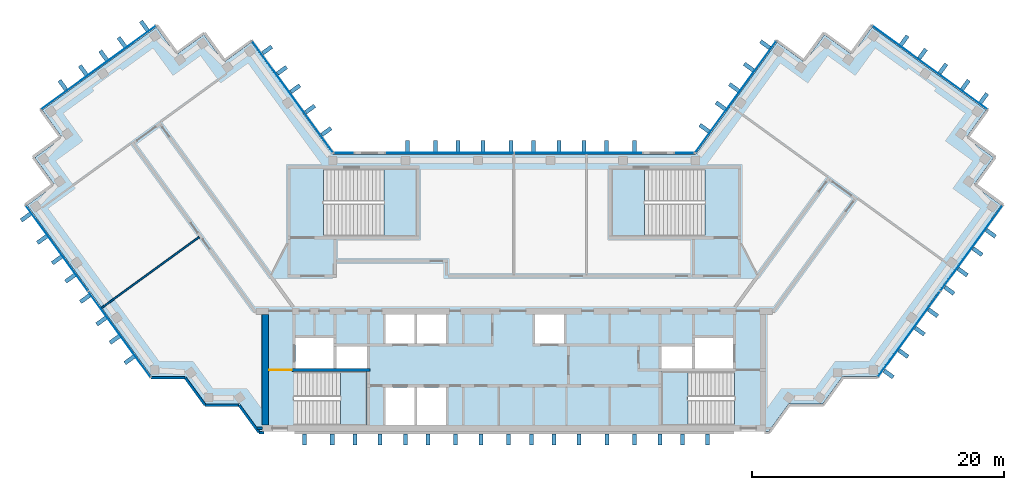
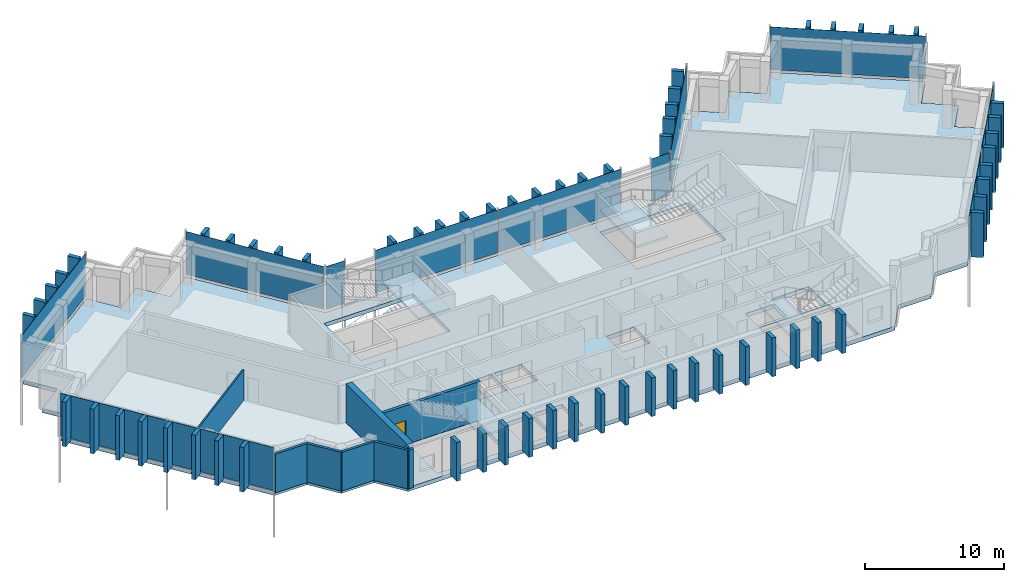
# One storey, part 7 of 13: 75 plates, 9 walls, 5 slabs, 1 door, 1 opening, 13 elements without a shape of their own.
"""IFC4 building model written with IfcOpenShell, lengths in metres."""

from ifc_helpers import new_model, si_unit, direction, frame, frame_2d, origin, origin_2d, place, context, subcontext, project, spatial, polyline, rectangle, outline, extrude, material, layer, layer_set, type_object, element, fill, aggregate, save


model = new_model("IFC4")

# Units and contexts
model_context = context("Model", 3, precision=1e-05, world=origin(), true_north=direction((0.0, 1.0)))
body_context = subcontext(model_context, "Body", "Model", "MODEL_VIEW")
ifc_project = project(units=[si_unit("LENGTHUNIT", "METRE"), si_unit("AREAUNIT", "SQUARE_METRE"), si_unit("VOLUMEUNIT", "CUBIC_METRE"), si_unit("PLANEANGLEUNIT", "RADIAN"), si_unit("MASSUNIT", "GRAM", prefix="KILO")], contexts=[model_context])

# Site, building, storey
site_placement = place(None, origin())
site = spatial("IfcSite", under=ifc_project, at=site_placement, CompositionType="ELEMENT")
building_placement = place(site_placement, origin())
building = spatial("IfcBuilding", under=site, at=building_placement, Name="Quipu Civic Tower", CompositionType="ELEMENT")
storey_placement = place(building_placement, frame((0.0, 0.0, 297.0)))
storey = spatial("IfcBuildingStorey", under=building, at=storey_placement, Name="L69", CompositionType="ELEMENT", Elevation=297.0)

# Slab
ifc_material_1 = material(Name="Concrete C40/50", Category="concrete")
ifc_layer_1 = layer(ifc_material_1, 0.35009765625)
ifc_layer_set_1 = layer_set([ifc_layer_1], Name="Concrete C40/50")
slab_type_1 = type_object("IfcSlabType", Name="Floor slab 350 C40/50", PredefinedType="FLOOR", material=ifc_layer_set_1)
slab_1_placement = place(storey_placement, frame((0.0, 0.0, -0.35009765625)))
element("IfcSlab", 1, at=slab_1_placement, inside=storey, type_object=slab_type_1, Name="Floor slab L69", PredefinedType="FLOOR", context=body_context, shape_type="SweptSolid", body=[
    extrude(outline(polyline([(20.860107421875, 19.89501953125), (23.0400390625, 18.31005859375), (24.6298828125, 20.4951171875), (26.81494140625, 18.905029296875), (28.39990234375, 21.090087890625), (37.4599609375, 14.5048828125), (35.875, 12.320068359375), (38.06005859375, 10.735107421875), (36.469970703125, 8.550048828125), (38.655029296875, 6.965087890625), (28.780029296875, -6.6298828125), (26.080078125, -6.6298828125), (24.489990234375, -8.81494140625), (21.7900390625, -8.81494140625), (20.205078125, -11.0), (-20.205078125, -11.0), (-21.7900390625, -8.81494140625), (-24.489990234375, -8.81494140625), (-26.080078125, -6.6298828125), (-28.780029296875, -6.6298828125), (-38.655029296875, 6.965087890625), (-36.469970703125, 8.550048828125), (-38.06005859375, 10.735107421875), (-35.875, 12.320068359375), (-37.4599609375, 14.5048828125), (-28.39990234375, 21.090087890625), (-26.81494140625, 18.905029296875), (-24.6298828125, 20.4951171875), (-23.0400390625, 18.31005859375), (-20.860107421875, 19.89501953125), (-14.39501953125, 11.0), (14.39501953125, 11.0), (20.860107421875, 19.89501953125)]), holes=[polyline([(-10.199951171875, -10.5), (-7.89990234375, -10.5), (-7.89990234375, -7.5), (-10.199951171875, -7.5), (-10.199951171875, -10.5)]), polyline([(-7.699951171875, -7.5), (-7.699951171875, -10.5), (-5.39990234375, -10.5), (-5.39990234375, -7.5), (-7.699951171875, -7.5)]), polyline([(-11.705078125, -6.2548828125), (-17.4951171875, -6.2548828125), (-17.4951171875, -10.4951171875), (-11.705078125, -10.4951171875), (-11.705078125, -6.2548828125)]), polyline([(-14.10009765625, -6.0), (-11.699951171875, -6.0), (-11.699951171875, -4.25), (-14.10009765625, -4.25), (-14.10009765625, -6.0)]), polyline([(-17.35009765625, -3.60009765625), (-17.35009765625, -6.0), (-14.35009765625, -6.0), (-14.35009765625, -3.60009765625), (-17.35009765625, -3.60009765625)]), polyline([(-10.199951171875, -1.699951171875), (-10.199951171875, -4.0), (-7.89990234375, -4.0), (-7.89990234375, -1.699951171875), (-10.199951171875, -1.699951171875)]), polyline([(-15.14501953125, 9.844970703125), (-15.14501953125, 4.5048828125), (-7.7548828125, 4.5048828125), (-7.7548828125, 9.844970703125), (-15.14501953125, 9.844970703125)]), polyline([(11.705078125, -10.4951171875), (17.4951171875, -10.4951171875), (17.4951171875, -6.2548828125), (11.705078125, -6.2548828125), (11.705078125, -10.4951171875)]), polyline([(11.699951171875, -4.25), (11.699951171875, -6.0), (14.10009765625, -6.0), (14.10009765625, -4.25), (11.699951171875, -4.25)]), polyline([(14.35009765625, -3.60009765625), (14.35009765625, -6.0), (17.35009765625, -6.0), (17.35009765625, -3.60009765625), (14.35009765625, -3.60009765625)]), polyline([(-7.699951171875, -1.699951171875), (-7.699951171875, -4.0), (-5.39990234375, -4.0), (-5.39990234375, -1.699951171875), (-7.699951171875, -1.699951171875)]), polyline([(1.64990234375, -1.699951171875), (1.64990234375, -4.0), (3.949951171875, -4.0), (3.949951171875, -1.699951171875), (1.64990234375, -1.699951171875)]), polyline([(7.7548828125, 4.5048828125), (15.14501953125, 4.5048828125), (15.14501953125, 9.844970703125), (7.7548828125, 9.844970703125), (7.7548828125, 4.5048828125)])]), origin(), (0.0, 0.0, 1.0), 0.35009765625),
])

# Curtain wall, plate
ifc_material_2 = material(Name="Insulated glass unit", Category="glass")
curtain_wall_type = type_object("IfcCurtainWallType", Name="Office curtain wall CW1", PredefinedType="NOTDEFINED", material=ifc_material_2)
curtain_wall_1_placement = place(storey_placement, origin())
curtain_wall_1 = element("IfcCurtainWall", 2, at=curtain_wall_1_placement, inside=storey, type_object=curtain_wall_type, Name="Office curtain wall CW1 L68 run 1", PredefinedType="NOTDEFINED")
ifc_material_3 = material(Name="Insulated glass unit", Category="glass")
ifc_layer_2 = layer(ifc_material_3, 0.028076171875)
ifc_layer_set_2 = layer_set([ifc_layer_2], Name="Insulated glass unit")
plate_type_1 = type_object("IfcPlateType", Name="Glass panel CW1", PredefinedType="CURTAIN_PANEL", material=ifc_layer_set_2)
plate_1_placement = place(storey_placement, frame((-17.590087890625, 15.5673828125, 0.16015625), z_axis=(0.0, 0.0, 1.0), x_axis=(-0.587787771652, 0.809015163947, 0.0)))
plate_1 = element("IfcPlate", 3, at=plate_1_placement, type_object=plate_type_1, Name="CW1 panel 1.2", PredefinedType="CURTAIN_PANEL", context=body_context, shape_type="SweptSolid", body=[
    extrude(rectangle(XDim=10.88427734375, YDim=0.028076171875, at=origin_2d()), origin(), (0.0, 0.0, 1.0), 3.760009765625),
])
aggregate(curtain_wall_1, [plate_1])

curtain_wall_2_placement = place(storey_placement, origin())
curtain_wall_2 = element("IfcCurtainWall", 4, at=curtain_wall_2_placement, inside=storey, type_object=curtain_wall_type, Name="Office curtain wall CW1 L68 run 6", PredefinedType="NOTDEFINED")
plate_2_placement = place(storey_placement, frame((-32.989990234375, 17.87939453125, 0.16015625), z_axis=(0.0, 0.0, 1.0), x_axis=(-0.809015176832, -0.587787753918, 0.0)))
plate_2 = element("IfcPlate", 5, at=plate_2_placement, type_object=plate_type_1, Name="CW1 panel 1.2", PredefinedType="CURTAIN_PANEL", context=body_context, shape_type="SweptSolid", body=[
    extrude(rectangle(XDim=11.239990234375, YDim=0.028076171875, at=origin_2d()), origin(), (0.0, 0.0, 1.0), 3.760009765625),
])
aggregate(curtain_wall_2, [plate_2])

# Curtain wall, plates
curtain_wall_3_placement = place(storey_placement, origin())
curtain_wall_3 = element("IfcCurtainWall", 6, at=curtain_wall_3_placement, inside=storey, type_object=curtain_wall_type, Name="Office curtain wall CW1 L68 run 11", PredefinedType="NOTDEFINED")
plate_3_placement = place(storey_placement, frame((-36.292724609375, 3.54052734375, 0.16015625), z_axis=(0.0, 0.0, 1.0), x_axis=(0.587786237643, -0.809016278475, 0.0)))
plate_3 = element("IfcPlate", 7, at=plate_3_placement, type_object=plate_type_1, Name="CW1 panel 1.2", PredefinedType="CURTAIN_PANEL", context=body_context, shape_type="SweptSolid", body=[
    extrude(rectangle(XDim=8.35791015625, YDim=0.028076171875, at=origin_2d()), origin(), (0.0, 0.0, 1.0), 3.760009765625),
])
plate_4_placement = place(storey_placement, frame((-31.333251953125, -3.285888671875, 0.16015625), z_axis=(0.0, 0.0, 1.0), x_axis=(0.587786237643, -0.809016278475, 0.0)))
plate_4 = element("IfcPlate", 8, at=plate_4_placement, type_object=plate_type_1, Name="CW1 panel 2.2", PredefinedType="CURTAIN_PANEL", context=body_context, shape_type="SweptSolid", body=[
    extrude(rectangle(XDim=8.35791015625, YDim=0.028076171875, at=origin_2d()), origin(), (0.0, 0.0, 1.0), 3.760009765625),
])
aggregate(curtain_wall_3, [plate_3, plate_4])

curtain_wall_4_placement = place(storey_placement, origin())
curtain_wall_4 = element("IfcCurtainWall", 9, at=curtain_wall_4_placement, inside=storey, type_object=curtain_wall_type, Name="Office curtain wall CW1 L68 run 23", PredefinedType="NOTDEFINED")
plate_5_placement = place(storey_placement, frame((31.333251953125, -3.285888671875, 0.16015625), z_axis=(0.0, 0.0, 1.0), x_axis=(0.587786237643, 0.809016278475, 0.0)))
plate_5 = element("IfcPlate", 10, at=plate_5_placement, type_object=plate_type_1, Name="CW1 panel 1.2", PredefinedType="CURTAIN_PANEL", context=body_context, shape_type="SweptSolid", body=[
    extrude(rectangle(XDim=8.35791015625, YDim=0.028076171875, at=origin_2d()), origin(), (0.0, 0.0, 1.0), 3.760009765625),
])
plate_6_placement = place(storey_placement, frame((36.292724609375, 3.54052734375, 0.16015625), z_axis=(0.0, 0.0, 1.0), x_axis=(0.587786237643, 0.809016278475, 0.0)))
plate_6 = element("IfcPlate", 11, at=plate_6_placement, type_object=plate_type_1, Name="CW1 panel 2.2", PredefinedType="CURTAIN_PANEL", context=body_context, shape_type="SweptSolid", body=[
    extrude(rectangle(XDim=8.35791015625, YDim=0.028076171875, at=origin_2d()), origin(), (0.0, 0.0, 1.0), 3.760009765625),
])
aggregate(curtain_wall_4, [plate_5, plate_6])

# Curtain wall, plate
curtain_wall_5_placement = place(storey_placement, origin())
curtain_wall_5 = element("IfcCurtainWall", 12, at=curtain_wall_5_placement, inside=storey, type_object=curtain_wall_type, Name="Office curtain wall CW1 L68 run 28", PredefinedType="NOTDEFINED")
plate_7_placement = place(storey_placement, frame((32.989990234375, 17.87939453125, 0.16015625), z_axis=(0.0, 0.0, 1.0), x_axis=(-0.809015176832, 0.587787753918, 0.0)))
plate_7 = element("IfcPlate", 13, at=plate_7_placement, type_object=plate_type_1, Name="CW1 panel 1.2", PredefinedType="CURTAIN_PANEL", context=body_context, shape_type="SweptSolid", body=[
    extrude(rectangle(XDim=11.239990234375, YDim=0.028076171875, at=origin_2d()), origin(), (0.0, 0.0, 1.0), 3.760009765625),
])
aggregate(curtain_wall_5, [plate_7])

curtain_wall_6_placement = place(storey_placement, origin())
curtain_wall_6 = element("IfcCurtainWall", 14, at=curtain_wall_6_placement, inside=storey, type_object=curtain_wall_type, Name="Office curtain wall CW1 L68 run 33", PredefinedType="NOTDEFINED")
plate_8_placement = place(storey_placement, frame((17.590087890625, 15.5673828125, 0.16015625), z_axis=(0.0, 0.0, 1.0), x_axis=(-0.587787771652, -0.809015163947, 0.0)))
plate_8 = element("IfcPlate", 15, at=plate_8_placement, type_object=plate_type_1, Name="CW1 panel 1.2", PredefinedType="CURTAIN_PANEL", context=body_context, shape_type="SweptSolid", body=[
    extrude(rectangle(XDim=10.88427734375, YDim=0.028076171875, at=origin_2d()), origin(), (0.0, 0.0, 1.0), 3.760009765625),
])
aggregate(curtain_wall_6, [plate_8])

curtain_wall_7_placement = place(storey_placement, origin())
curtain_wall_7 = element("IfcCurtainWall", 16, at=curtain_wall_7_placement, inside=storey, type_object=curtain_wall_type, Name="Office curtain wall CW1 L68 run 34", PredefinedType="NOTDEFINED")
plate_9_placement = place(storey_placement, frame((13.49951171875, 11.10009765625, 0.16015625), z_axis=(0.0, 0.0, 1.0), x_axis=(-1.0, 0.0, 0.0)))
plate_9 = element("IfcPlate", 17, at=plate_9_placement, type_object=plate_type_1, Name="CW1 panel 1.2", PredefinedType="CURTAIN_PANEL", context=body_context, shape_type="SweptSolid", body=[
    extrude(rectangle(XDim=1.529296875, YDim=0.028076171875, at=origin_2d()), origin(), (0.0, 0.0, 1.0), 3.760009765625),
])
aggregate(curtain_wall_7, [plate_9])

# Curtain wall, plates
curtain_wall_8_placement = place(storey_placement, origin())
curtain_wall_8 = element("IfcCurtainWall", 18, at=curtain_wall_8_placement, inside=storey, type_object=curtain_wall_type, Name="Office curtain wall CW1 L68 run 36", PredefinedType="NOTDEFINED")
plate_10_placement = place(storey_placement, frame((5.11181640625, 11.10009765625, 0.16015625), z_axis=(0.0, 0.0, 1.0), x_axis=(-1.0, 0.0, 0.0)))
plate_10 = element("IfcPlate", 19, at=plate_10_placement, type_object=plate_type_1, Name="CW1 panel 1.2", PredefinedType="CURTAIN_PANEL", context=body_context, shape_type="SweptSolid", body=[
    extrude(rectangle(XDim=10.1435546875, YDim=0.028076171875, at=origin_2d()), origin(), (0.0, 0.0, 1.0), 3.760009765625),
])
plate_11_placement = place(storey_placement, frame((-5.11181640625, 11.10009765625, 0.16015625), z_axis=(0.0, 0.0, 1.0), x_axis=(-1.0, 0.0, 0.0)))
plate_11 = element("IfcPlate", 20, at=plate_11_placement, type_object=plate_type_1, Name="CW1 panel 2.2", PredefinedType="CURTAIN_PANEL", context=body_context, shape_type="SweptSolid", body=[
    extrude(rectangle(XDim=10.1435546875, YDim=0.028076171875, at=origin_2d()), origin(), (0.0, 0.0, 1.0), 3.760009765625),
])
aggregate(curtain_wall_8, [plate_10, plate_11])

# Curtain wall, plate
curtain_wall_9_placement = place(storey_placement, origin())
curtain_wall_9 = element("IfcCurtainWall", 21, at=curtain_wall_9_placement, inside=storey, type_object=curtain_wall_type, Name="Office curtain wall CW1 L68 run 38", PredefinedType="NOTDEFINED")
plate_12_placement = place(storey_placement, frame((-13.49951171875, 11.10009765625, 0.16015625), z_axis=(0.0, 0.0, 1.0), x_axis=(-1.0, 0.0, 0.0)))
plate_12 = element("IfcPlate", 22, at=plate_12_placement, type_object=plate_type_1, Name="CW1 panel 1.2", PredefinedType="CURTAIN_PANEL", context=body_context, shape_type="SweptSolid", body=[
    extrude(rectangle(XDim=1.529296875, YDim=0.028076171875, at=origin_2d()), origin(), (0.0, 0.0, 1.0), 3.760009765625),
])
aggregate(curtain_wall_9, [plate_12])

# Plates
ifc_material_4 = material(Name="Precast concrete C40/50", Category="concrete")
plate_type_2 = type_object("IfcPlateType", Name="Precast fin F3", PredefinedType="SHEET", material=ifc_material_4)
for number, where, z_axis, x_axis, name in (
    (23, (-14.90380859375, 12.805908203125, 0.080078125), (0.0, 0.0, 1.0), (-0.58778443384, 0.809017589015, 0.0), "Precast fin F3 L69.P01.1"),
    (24, (-16.197021484375, 14.585693359375, 0.080078125), (0.0, 0.0, 1.0), (-0.58778443384, 0.809017589015, 0.0), "Precast fin F3 L69.P01.2"),
    (25, (-17.37255859375, 16.203857421875, 0.080078125), (0.0, 0.0, 1.0), (-0.58778443384, 0.809017589015, 0.0), "Precast fin F3 L69.P01.3"),
    (26, (-18.4306640625, 17.66015625, 0.080078125), (0.0, 0.0, 1.0), (-0.58778443384, 0.809017589015, 0.0), "Precast fin F3 L69.P01.4"),
    (27, (-19.606201171875, 19.278076171875, 0.080078125), (0.0, 0.0, 1.0), (-0.58778443384, 0.809017589015, 0.0), "Precast fin F3 L69.P01.5"),
    (28, (-29.357177734375, 21.198486328125, 0.080078125), (0.0, 0.0, 1.0), (-0.809017072762, -0.587785144401, 0.0), "Precast fin F3 L69.P06.1"),
    (29, (-31.13720703125, 19.905517578125, 0.080078125), (0.0, 0.0, 1.0), (-0.809017072762, -0.587785144401, 0.0), "Precast fin F3 L69.P06.2"),
    (30, (-32.59326171875, 18.847412109375, 0.080078125), (0.0, 0.0, 1.0), (-0.809017072762, -0.587785144401, 0.0), "Precast fin F3 L69.P06.3"),
    (31, (-34.21142578125, 17.671875, 0.080078125), (0.0, 0.0, 1.0), (-0.809017072762, -0.587785144401, 0.0), "Precast fin F3 L69.P06.4"),
    (32, (-35.829345703125, 16.496337890625, 0.080078125), (0.0, 0.0, 1.0), (-0.809017072762, -0.587785144401, 0.0), "Precast fin F3 L69.P06.5"),
    (33, (-38.764892578125, 6.007568359375, 0.080078125), (0.0, 0.0, 1.0), (0.587786668783, -0.809015965233, 0.0), "Precast fin F3 L69.P11.1"),
    (34, (-37.4716796875, 4.227783203125, 0.080078125), (0.0, 0.0, 1.0), (0.587786668783, -0.809015965233, 0.0), "Precast fin F3 L69.P11.2"),
    (35, (-36.296142578125, 2.609619140625, 0.080078125), (0.0, 0.0, 1.0), (0.587786668783, -0.809015965233, 0.0), "Precast fin F3 L69.P11.3"),
    (36, (-35.23828125, 1.1533203125, 0.080078125), (0.0, 0.0, 1.0), (0.587786668783, -0.809015965233, 0.0), "Precast fin F3 L69.P11.4"),
    (37, (-34.062744140625, -0.464599609375, 0.080078125), (0.0, 0.0, 1.0), (0.587786668783, -0.809015965233, 0.0), "Precast fin F3 L69.P11.5"),
    (38, (-32.76953125, -2.244384765625, 0.080078125), (0.0, 0.0, 1.0), (0.587786668783, -0.809015965233, 0.0), "Precast fin F3 L69.P11.6"),
    (39, (-31.71142578125, -3.70068359375, 0.080078125), (0.0, 0.0, 1.0), (0.587786668783, -0.809015965233, 0.0), "Precast fin F3 L69.P11.7"),
    (40, (-30.535888671875, -5.318603515625, 0.080078125), (0.0, 0.0, 1.0), (0.587786668783, -0.809015965233, 0.0), "Precast fin F3 L69.P11.8"),
):
    element("IfcPlate", number, at=place(storey_placement, frame(where, z_axis=z_axis, x_axis=x_axis)), inside=storey, type_object=plate_type_2, Name=name, PredefinedType="SHEET", context=body_context, shape_type="SweptSolid", body=[
        extrude(rectangle(XDim=0.320068359375, YDim=0.89990234375, at=origin_2d()), origin(), (0.0, 0.0, 1.0), 3.919921875),
    ])
for number, where, z_axis, x_axis, name in (
    (41, (-16.639892578125, -11.637939453125, 0.0), (0.0, 0.0, 1.0), (1.0, 0.0, 0.0), "Precast fin F3 L69.P18.1"),
    (42, (-14.43994140625, -11.637939453125, 0.0), (0.0, 0.0, 1.0), (1.0, 0.0, 0.0), "Precast fin F3 L69.P18.2"),
    (43, (-12.639892578125, -11.637939453125, 0.0), (0.0, 0.0, 1.0), (1.0, 0.0, 0.0), "Precast fin F3 L69.P18.3"),
    (44, (-10.639892578125, -11.637939453125, 0.0), (0.0, 0.0, 1.0), (1.0, 0.0, 0.0), "Precast fin F3 L69.P18.4"),
    (45, (-8.639892578125, -11.637939453125, 0.0), (0.0, 0.0, 1.0), (1.0, 0.0, 0.0), "Precast fin F3 L69.P18.5"),
    (46, (-6.840087890625, -11.637939453125, 0.0), (0.0, 0.0, 1.0), (1.0, 0.0, 0.0), "Precast fin F3 L69.P18.6"),
    (47, (-4.639892578125, -11.637939453125, 0.0), (0.0, 0.0, 1.0), (1.0, 0.0, 0.0), "Precast fin F3 L69.P18.7"),
    (48, (-2.639892578125, -11.637939453125, 0.0), (0.0, 0.0, 1.0), (1.0, 0.0, 0.0), "Precast fin F3 L69.P18.8"),
    (49, (-0.43994140625, -11.637939453125, 0.0), (0.0, 0.0, 1.0), (1.0, 0.0, 0.0), "Precast fin F3 L69.P18.9"),
    (50, (1.360107421875, -11.637939453125, 0.0), (0.0, 0.0, 1.0), (1.0, 0.0, 0.0), "Precast fin F3 L69.P18.10"),
    (51, (3.159912109375, -11.637939453125, 0.0), (0.0, 0.0, 1.0), (1.0, 0.0, 0.0), "Precast fin F3 L69.P18.11"),
    (52, (5.159912109375, -11.637939453125, 0.0), (0.0, 0.0, 1.0), (1.0, 0.0, 0.0), "Precast fin F3 L69.P18.12"),
    (53, (7.360107421875, -11.637939453125, 0.0), (0.0, 0.0, 1.0), (1.0, 0.0, 0.0), "Precast fin F3 L69.P18.13"),
    (54, (9.56005859375, -11.637939453125, 0.0), (0.0, 0.0, 1.0), (1.0, 0.0, 0.0), "Precast fin F3 L69.P18.14"),
    (55, (11.56005859375, -11.637939453125, 0.0), (0.0, 0.0, 1.0), (1.0, 0.0, 0.0), "Precast fin F3 L69.P18.15"),
    (56, (13.360107421875, -11.637939453125, 0.0), (0.0, 0.0, 1.0), (1.0, 0.0, 0.0), "Precast fin F3 L69.P18.16"),
    (57, (15.360107421875, -11.637939453125, 0.0), (0.0, 0.0, 1.0), (1.0, 0.0, 0.0), "Precast fin F3 L69.P18.17"),
):
    element("IfcPlate", number, at=place(storey_placement, frame(where, z_axis=z_axis, x_axis=x_axis)), inside=storey, type_object=plate_type_2, Name=name, PredefinedType="SHEET", context=body_context, shape_type="SweptSolid", body=[
        extrude(rectangle(XDim=0.320068359375, YDim=0.89990234375, at=origin_2d()), origin(), (0.0, 0.0, 1.0), 3.39990234375),
    ])
for number, where, z_axis, x_axis, name in (
    (58, (29.721923828125, -6.43896484375, 0.080078125), (0.0, 0.0, 1.0), (0.587786668783, 0.809015965233, 0.0), "Precast fin F3 L69.P24.1"),
    (59, (30.8974609375, -4.821044921875, 0.080078125), (0.0, 0.0, 1.0), (0.587786668783, 0.809015965233, 0.0), "Precast fin F3 L69.P24.2"),
    (60, (32.190673828125, -3.041015625, 0.080078125), (0.0, 0.0, 1.0), (0.587786668783, 0.809015965233, 0.0), "Precast fin F3 L69.P24.3"),
    (61, (33.248779296875, -1.5849609375, 0.080078125), (0.0, 0.0, 1.0), (0.587786668783, 0.809015965233, 0.0), "Precast fin F3 L69.P24.4"),
    (62, (34.541748046875, 0.195068359375, 0.080078125), (0.0, 0.0, 1.0), (0.587786668783, 0.809015965233, 0.0), "Precast fin F3 L69.P24.5"),
    (63, (35.599853515625, 1.651123046875, 0.080078125), (0.0, 0.0, 1.0), (0.587786668783, 0.809015965233, 0.0), "Precast fin F3 L69.P24.6"),
    (64, (36.775390625, 3.269287109375, 0.080078125), (0.0, 0.0, 1.0), (0.587786668783, 0.809015965233, 0.0), "Precast fin F3 L69.P24.7"),
    (65, (37.83349609375, 4.725341796875, 0.080078125), (0.0, 0.0, 1.0), (0.587786668783, 0.809015965233, 0.0), "Precast fin F3 L69.P24.8"),
    (66, (37.26953125, 15.449951171875, 0.080078125), (0.0, 0.0, 1.0), (-0.809017072762, 0.587785144401, 0.0), "Precast fin F3 L69.P29.1"),
    (67, (35.813232421875, 16.508056640625, 0.080078125), (0.0, 0.0, 1.0), (-0.809017072762, 0.587785144401, 0.0), "Precast fin F3 L69.P29.2"),
    (68, (34.033447265625, 17.801025390625, 0.080078125), (0.0, 0.0, 1.0), (-0.809017072762, 0.587785144401, 0.0), "Precast fin F3 L69.P29.3"),
    (69, (32.415283203125, 18.976806640625, 0.080078125), (0.0, 0.0, 1.0), (-0.809017072762, 0.587785144401, 0.0), "Precast fin F3 L69.P29.4"),
    (70, (30.959228515625, 20.03466796875, 0.080078125), (0.0, 0.0, 1.0), (-0.809017072762, 0.587785144401, 0.0), "Precast fin F3 L69.P29.5"),
    (71, (19.914794921875, 19.702880859375, 0.080078125), (0.0, 0.0, 1.0), (-0.58778443384, -0.809017589015, 0.0), "Precast fin F3 L69.P34.1"),
    (72, (18.62158203125, 17.923095703125, 0.080078125), (0.0, 0.0, 1.0), (-0.58778443384, -0.809017589015, 0.0), "Precast fin F3 L69.P34.2"),
    (73, (17.446044921875, 16.30517578125, 0.080078125), (0.0, 0.0, 1.0), (-0.58778443384, -0.809017589015, 0.0), "Precast fin F3 L69.P34.3"),
    (74, (16.38818359375, 14.848876953125, 0.080078125), (0.0, 0.0, 1.0), (-0.58778443384, -0.809017589015, 0.0), "Precast fin F3 L69.P34.4"),
    (75, (15.094970703125, 13.069091796875, 0.080078125), (0.0, 0.0, 1.0), (-0.58778443384, -0.809017589015, 0.0), "Precast fin F3 L69.P34.5"),
    (76, (9.5400390625, 11.64990234375, 0.080078125), (0.0, 0.0, 1.0), (-1.0, 0.0, 0.0), "Precast fin F3 L69.P37.1"),
    (77, (7.340087890625, 11.64990234375, 0.080078125), (0.0, 0.0, 1.0), (-1.0, 0.0, 0.0), "Precast fin F3 L69.P37.2"),
    (78, (5.5400390625, 11.64990234375, 0.080078125), (0.0, 0.0, 1.0), (-1.0, 0.0, 0.0), "Precast fin F3 L69.P37.3"),
    (79, (3.5400390625, 11.64990234375, 0.080078125), (0.0, 0.0, 1.0), (-1.0, 0.0, 0.0), "Precast fin F3 L69.P37.4"),
    (80, (1.5400390625, 11.64990234375, 0.080078125), (0.0, 0.0, 1.0), (-1.0, 0.0, 0.0), "Precast fin F3 L69.P37.5"),
    (81, (-0.260009765625, 11.64990234375, 0.080078125), (0.0, 0.0, 1.0), (-1.0, 0.0, 0.0), "Precast fin F3 L69.P37.6"),
    (82, (-2.4599609375, 11.64990234375, 0.080078125), (0.0, 0.0, 1.0), (-1.0, 0.0, 0.0), "Precast fin F3 L69.P37.7"),
    (83, (-4.4599609375, 11.64990234375, 0.080078125), (0.0, 0.0, 1.0), (-1.0, 0.0, 0.0), "Precast fin F3 L69.P37.8"),
    (84, (-6.260009765625, 11.64990234375, 0.080078125), (0.0, 0.0, 1.0), (-1.0, 0.0, 0.0), "Precast fin F3 L69.P37.9"),
    (85, (-8.4599609375, 11.64990234375, 0.080078125), (0.0, 0.0, 1.0), (-1.0, 0.0, 0.0), "Precast fin F3 L69.P37.10"),
):
    element("IfcPlate", number, at=place(storey_placement, frame(where, z_axis=z_axis, x_axis=x_axis)), inside=storey, type_object=plate_type_2, Name=name, PredefinedType="SHEET", context=body_context, shape_type="SweptSolid", body=[
        extrude(rectangle(XDim=0.320068359375, YDim=0.89990234375, at=origin_2d()), origin(), (0.0, 0.0, 1.0), 3.919921875),
    ])

# Stair, slab
ifc_material_5 = material(Name="Concrete C40/50", Category="concrete")
stair_type_1 = type_object("IfcStairType", Name="Half turn stair 2000", PredefinedType="HALF_TURN_STAIR", material=ifc_material_5)
stair_1_placement = place(storey_placement, origin())
stair_1 = element("IfcStair", 86, at=stair_1_placement, inside=storey, type_object=stair_type_1, Name="Exit stair 1", PredefinedType="HALF_TURN_STAIR")
ifc_material_6 = material(Name="Concrete C40/50", Category="concrete")
ifc_layer_3 = layer(ifc_material_6, 0.199951171875)
ifc_layer_set_3 = layer_set([ifc_layer_3], Name="Concrete C40/50")
slab_type_2 = type_object("IfcSlabType", Name="Stair landing 200", PredefinedType="LANDING", material=ifc_layer_set_3)
slab_2_placement = place(storey_placement, frame((0.0, 0.0, 1.800048828125)))
slab_2 = element("IfcSlab", 87, at=slab_2_placement, type_object=slab_type_2, Name="ST-1 landing 1", PredefinedType="LANDING", context=body_context, shape_type="SweptSolid", body=[
    extrude(outline(polyline([(-13.780029296875, -10.5), (-11.699951171875, -10.5), (-11.699951171875, -6.25), (-13.780029296875, -6.25), (-13.780029296875, -10.5)])), origin(), (0.0, 0.0, 1.0), 0.199951171875),
])
aggregate(stair_1, [slab_2])

stair_2_placement = place(storey_placement, origin())
stair_2 = element("IfcStair", 88, at=stair_2_placement, inside=storey, type_object=stair_type_1, Name="Exit stair 2", PredefinedType="HALF_TURN_STAIR")
slab_3_placement = place(storey_placement, frame((0.0, 0.0, 1.800048828125)))
slab_3 = element("IfcSlab", 89, at=slab_3_placement, type_object=slab_type_2, Name="ST-2 landing 1", PredefinedType="LANDING", context=body_context, shape_type="SweptSolid", body=[
    extrude(outline(polyline([(13.780029296875, -6.25), (11.699951171875, -6.25), (11.699951171875, -10.5), (13.780029296875, -10.5), (13.780029296875, -6.25)])), origin(), (0.0, 0.0, 1.0), 0.199951171875),
])
aggregate(stair_2, [slab_3])

ifc_material_7 = material(Name="Concrete C40/50", Category="concrete")
stair_type_2 = type_object("IfcStairType", Name="Half turn stair 2600", PredefinedType="HALF_TURN_STAIR", material=ifc_material_7)
stair_3_placement = place(storey_placement, origin())
stair_3 = element("IfcStair", 90, at=stair_3_placement, inside=storey, type_object=stair_type_2, Name="Exit stair 3", PredefinedType="HALF_TURN_STAIR")
slab_4_placement = place(storey_placement, frame((0.0, 0.0, 1.800048828125)))
slab_4 = element("IfcSlab", 91, at=slab_4_placement, type_object=slab_type_2, Name="ST-3 landing 1", PredefinedType="LANDING", context=body_context, shape_type="SweptSolid", body=[
    extrude(outline(polyline([(-10.35009765625, 4.5), (-7.75, 4.5), (-7.75, 9.85009765625), (-10.35009765625, 9.85009765625), (-10.35009765625, 4.5)])), origin(), (0.0, 0.0, 1.0), 0.199951171875),
])
aggregate(stair_3, [slab_4])

stair_4_placement = place(storey_placement, origin())
stair_4 = element("IfcStair", 92, at=stair_4_placement, inside=storey, type_object=stair_type_2, Name="Exit stair 4", PredefinedType="HALF_TURN_STAIR")
slab_5_placement = place(storey_placement, frame((0.0, 0.0, 1.800048828125)))
slab_5 = element("IfcSlab", 93, at=slab_5_placement, type_object=slab_type_2, Name="ST-4 landing 1", PredefinedType="LANDING", context=body_context, shape_type="SweptSolid", body=[
    extrude(outline(polyline([(10.35009765625, 9.85009765625), (7.75, 9.85009765625), (7.75, 4.5), (10.35009765625, 4.5), (10.35009765625, 9.85009765625)])), origin(), (0.0, 0.0, 1.0), 0.199951171875),
])
aggregate(stair_4, [slab_5])

# Wall, opening, door
ifc_material_8 = material(Name="Concrete C70/85", Category="concrete")
ifc_layer_4 = layer(ifc_material_8, 0.25)
ifc_layer_set_4 = layer_set([ifc_layer_4], Name="Concrete C70/85")
wall_type_1 = type_object("IfcWallType", Name="Core wall 250", PredefinedType="SHEAR", material=ifc_layer_set_4)
wall_1_placement = place(storey_placement, frame((-11.449951171875, -6.125, 0.0), z_axis=(0.0, 0.0, 1.0), x_axis=(-1.0, 0.0, 0.0)))
wall_1 = element("IfcWall", 94, at=wall_1_placement, inside=storey, type_object=wall_type_1, Name="Core wall", PredefinedType="SHEAR", context=body_context, shape_type="SweptSolid", body=[
    extrude(rectangle(XDim=8.050048828125, YDim=0.25, at=frame_2d((4.02490234375, 0.0))), origin(), (0.0, 0.0, 1.0), 3.39990234375),
])
opening_placement = place(wall_1_placement, frame((6.199951171875, 0.0, 0.0)))
opening = element("IfcOpeningElement", 95, at=opening_placement, cuts=wall_1, Name="Opening CD-08", PredefinedType="OPENING", context=body_context, shape_type="SweptSolid", body=[
    extrude(rectangle(XDim=1.800048828125, YDim=2.10009765625, at=frame_2d((0.89990234375, 1.050048828125))), frame((0.0, 0.135009765625, 0.0), z_axis=(0.0, -1.0, 0.0), x_axis=(1.0, 0.0, 0.0)), (0.0, 0.0, 1.0), 0.27001953125),
])
ifc_material_9 = material(Name="Fire rated steel door", Category="steel")
door_type = type_object("IfcDoorType", Name="Fire door FD90 double 1800 x 2100", OperationType="NOTDEFINED", PredefinedType="DOOR", material=ifc_material_9)
door_placement = place(opening_placement, origin())
door = element("IfcDoor", 96, at=door_placement, inside=storey, type_object=door_type, Name="Door", OperationType="DOUBLE_DOOR_SINGLE_SWING", OverallHeight=2.10009765625, OverallWidth=1.800048828125, PredefinedType="DOOR", context=body_context, shape_type="SweptSolid", body=[
    extrude(rectangle(XDim=1.800048828125, YDim=2.10009765625, at=frame_2d((0.89990234375, 1.050048828125))), frame((0.0, 0.02490234375, 0.0), z_axis=(0.0, -1.0, 0.0), x_axis=(1.0, 0.0, 0.0)), (0.0, 0.0, 1.0), 0.050048828125),
])
fill(opening, door)

# Walls
ifc_material_10 = material(Name="Concrete C70/85", Category="concrete")
ifc_layer_5 = layer(ifc_material_10, 0.5)
ifc_layer_set_5 = layer_set([ifc_layer_5], Name="Concrete C70/85")
wall_type_2 = type_object("IfcWallType", Name="Core wall 500", PredefinedType="SHEAR", material=ifc_layer_set_5)
wall_2_placement = place(storey_placement, frame((-19.75, -10.5, 0.0), z_axis=(0.0, 0.0, 1.0), x_axis=(0.0, 1.0, 0.0)))
element("IfcWall", 97, at=wall_2_placement, inside=storey, type_object=wall_type_2, Name="Core wall", PredefinedType="SHEAR", context=body_context, shape_type="SweptSolid", body=[
    extrude(rectangle(XDim=8.800048828125, YDim=0.5, at=frame_2d((4.39990234375, 0.0))), origin(), (0.0, 0.0, 1.0), 3.39990234375),
])
ifc_material_11 = material(Name="Gypsum plasterboard on light gauge framing")
ifc_layer_6 = layer(ifc_material_11, 0.1201171875)
ifc_layer_set_6 = layer_set([ifc_layer_6], Name="Gypsum plasterboard on light gauge framing")
wall_type_3 = type_object("IfcWallType", Name="Partition 120 plasterboard", PredefinedType="PARTITIONING", material=ifc_layer_set_6)
wall_3_placement = place(storey_placement, frame((-25.00830078125, 4.4267578125, 0.0), z_axis=(0.0, 0.0, 1.0), x_axis=(-0.808994684961, -0.587815957341, 0.0)))
element("IfcWall", 98, at=wall_3_placement, inside=storey, type_object=wall_type_3, Name="Partition P04", PredefinedType="PARTITIONING", context=body_context, shape_type="SweptSolid", body=[
    extrude(rectangle(XDim=9.55029296875, YDim=0.1201171875, at=frame_2d((4.775146484375, 0.0))), origin(), (0.0, 0.0, 1.0), 2.699951171875),
])
ifc_material_12 = material(Name="Precast concrete C40/50", Category="concrete")
wall_type_4 = type_object("IfcWallType", Name="Precast cladding wall", PredefinedType="SOLIDWALL", material=ifc_material_12)
wall_4_placement = place(storey_placement, frame((-28.829833984375, -6.71923828125, 0.0), z_axis=(0.0, 0.0, 1.0), x_axis=(1.0, 0.0, 0.0)))
element("IfcWall", 99, at=wall_4_placement, inside=storey, type_object=wall_type_4, Name="Precast cladding wall L69 P12", PredefinedType="SOLIDWALL", context=body_context, shape_type="SweptSolid", body=[
    extrude(rectangle(XDim=2.699951171875, YDim=0.199951171875, at=frame_2d((1.35009765625, 0.0))), origin(), (0.0, 0.0, 1.0), 3.39990234375),
])
wall_5_placement = place(storey_placement, frame((-26.1201171875, -6.72412109375, 0.0), z_axis=(0.0, 0.0, 1.0), x_axis=(0.587720002413, -0.809064397168, 0.0)))
element("IfcWall", 100, at=wall_5_placement, inside=storey, type_object=wall_type_4, Name="Precast cladding wall L69 P13", PredefinedType="SOLIDWALL", context=body_context, shape_type="SweptSolid", body=[
    extrude(rectangle(XDim=2.7001953125, YDim=0.199951171875, at=frame_2d((1.35009765625, 0.0))), origin(), (0.0, 0.0, 1.0), 3.39990234375),
])
wall_6_placement = place(storey_placement, frame((-24.542724609375, -8.90380859375, 0.0), z_axis=(0.0, 0.0, 1.0), x_axis=(1.0, 0.0, 0.0)))
element("IfcWall", 101, at=wall_6_placement, inside=storey, type_object=wall_type_4, Name="Precast cladding wall L69 P14", PredefinedType="SOLIDWALL", context=body_context, shape_type="SweptSolid", body=[
    extrude(rectangle(XDim=2.699951171875, YDim=0.199951171875, at=frame_2d((1.35009765625, 0.0))), origin(), (0.0, 0.0, 1.0), 3.39990234375),
])
wall_7_placement = place(storey_placement, frame((-21.8330078125, -8.90869140625, 0.0), z_axis=(0.0, 0.0, 1.0), x_axis=(0.587766567315, -0.809030569476, 0.0)))
element("IfcWall", 102, at=wall_7_placement, inside=storey, type_object=wall_type_4, Name="Precast cladding wall L69 P15", PredefinedType="SOLIDWALL", context=body_context, shape_type="SweptSolid", body=[
    extrude(rectangle(XDim=2.687744140625, YDim=0.199951171875, at=frame_2d((1.34375, 0.0))), origin(), (0.0, 0.0, 1.0), 3.39990234375),
])
wall_8_placement = place(storey_placement, frame((-20.255859375, -11.087890625, 0.0), z_axis=(0.0, 0.0, 1.0), x_axis=(1.0, 0.0, 0.0)))
element("IfcWall", 103, at=wall_8_placement, inside=storey, type_object=wall_type_4, Name="Precast cladding wall L69 P16", PredefinedType="SOLIDWALL", context=body_context, shape_type="SweptSolid", body=[
    extrude(rectangle(XDim=0.40576171875, YDim=0.199951171875, at=frame_2d((0.202880859375, 0.0))), origin(), (0.0, 0.0, 1.0), 3.39990234375),
])
wall_9_placement = place(storey_placement, frame((-19.97998046875, -10.75, 0.0), z_axis=(0.0, 0.0, 1.0), x_axis=(-1.0, 0.0, 0.0)))
element("IfcWall", 104, at=wall_9_placement, inside=storey, type_object=wall_type_4, Name="Precast cladding return L69 W", PredefinedType="SOLIDWALL", context=body_context, shape_type="SweptSolid", body=[
    extrude(rectangle(XDim=0.41650390625, YDim=0.199951171875, at=frame_2d((0.208251953125, 0.0))), origin(), (0.0, 0.0, 1.0), 3.39990234375),
])

save(model, "model.ifc")
